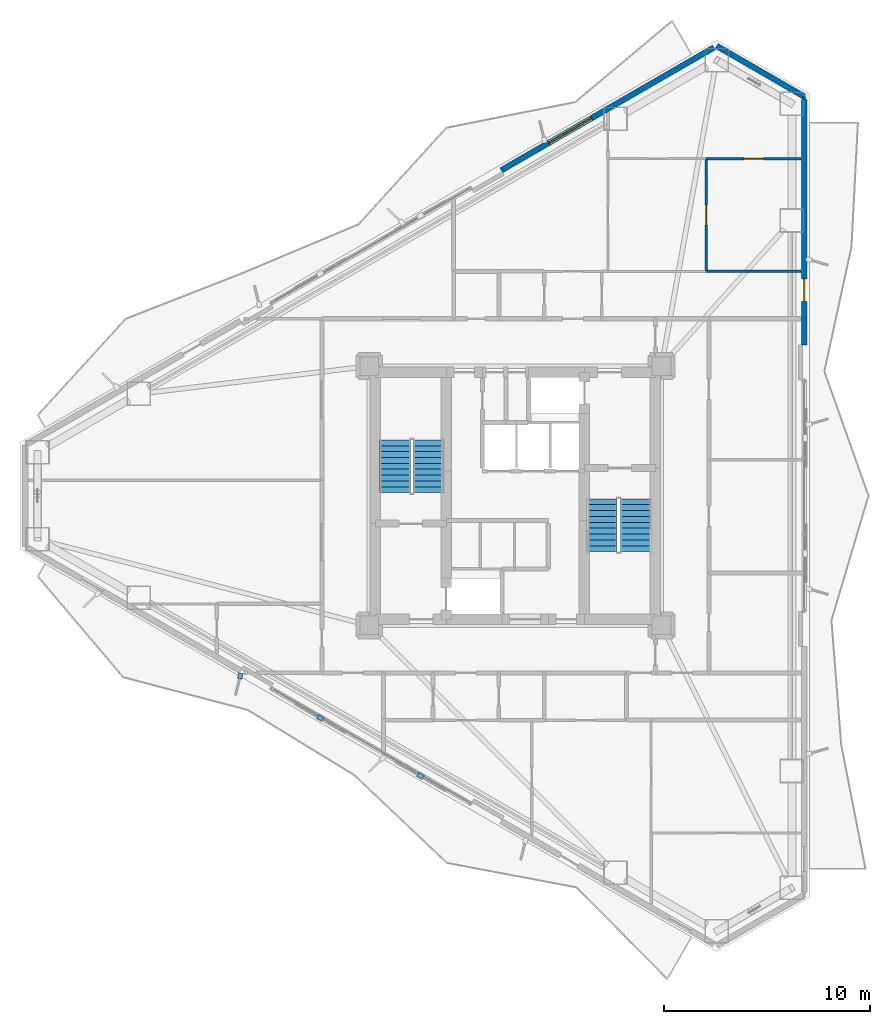
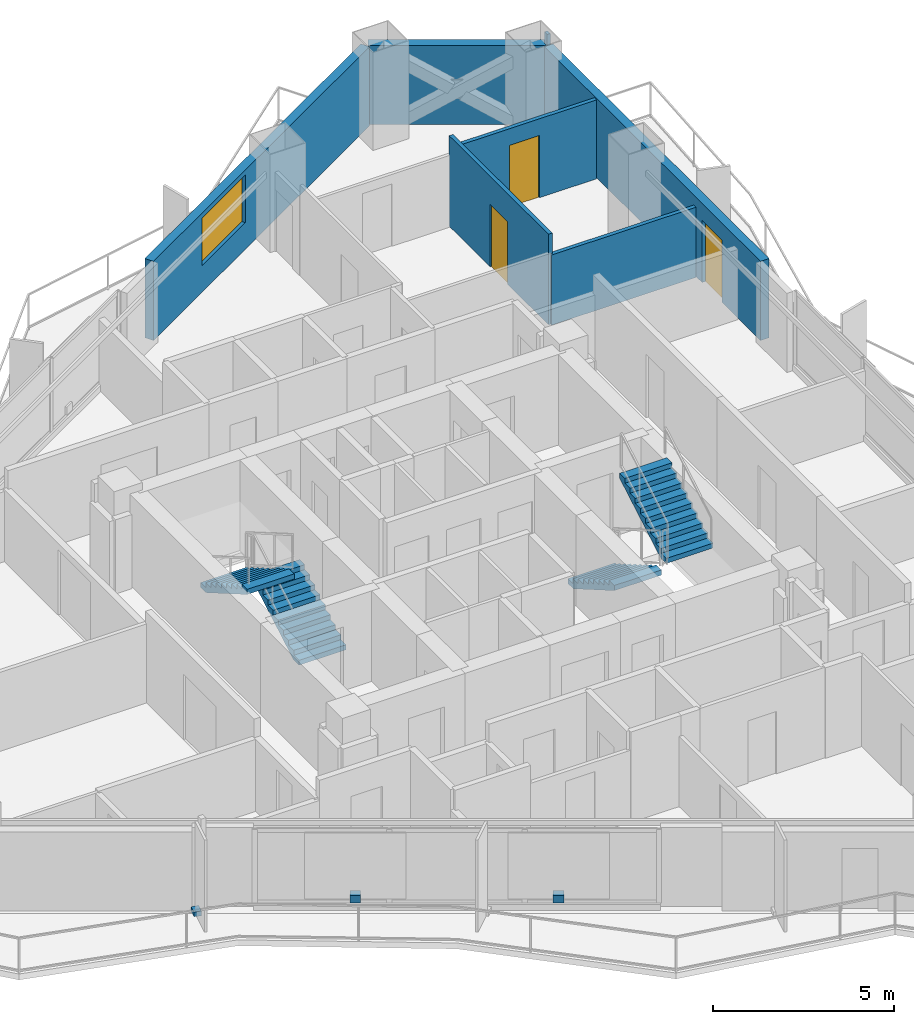
# One storey, part 19 of 22: 7 walls, 4 stair flights, 3 discrete accessories, 3 doors, 1 window, 4 openings, 2 elements without a shape of their own.
"""IFC4 building model written with IfcOpenShell, lengths in metres."""

import ifcopenshell
import ifcopenshell.guid

model = None  # the IFC model being written
_history = None  # IfcOwnerHistory: only IFC2X3 demands one
_inside = {}  # id of a spatial element -> (the spatial element, [elements in it])
_under = {}  # id of a project, library or spatial element -> (it, [spatial elements below it])
_declared = {}  # id of a project -> (the project, [libraries it declares])
_typed = {}  # id of a type object -> (the type object, [elements of that type])
_made_of = {}  # id of a material, layer set ... -> (it, [elements and type objects made of it])


def new_model(schema):
    """Start an empty IFC model of exactly this schema.

    Asked for "IFC4X3", IfcOpenShell would pick the latest addendum, in which some entities
    have other attributes; the version numbers below select the first issue.
    IFC2X3 requires an IfcOwnerHistory on every rooted entity: one is made here for all.
    """
    global model, _history
    if schema == "IFC4X3":
        model = ifcopenshell.file(schema_version=(4, 3, 0, 0))
    else:
        model = ifcopenshell.file(schema=schema)
    _inside.clear()
    _under.clear()
    _declared.clear()
    _typed.clear()
    _made_of.clear()
    _history = None
    if model.schema == "IFC2X3":
        org = make("IfcOrganization", Name="unknown")
        user = make(
            "IfcPersonAndOrganization",
            ThePerson=make("IfcPerson", FamilyName="unknown"),
            TheOrganization=org,
        )
        app = make(
            "IfcApplication",
            ApplicationDeveloper=org,
            Version="unknown",
            ApplicationFullName="unknown",
            ApplicationIdentifier="unknown",
        )
        _history = make(
            "IfcOwnerHistory",
            OwningUser=user,
            OwningApplication=app,
            ChangeAction="ADDED",
            CreationDate=0,
        )
    return model


def make(cls, **values):
    """One entity of the class cls with the attributes given. An attribute that is None is left unset."""
    return model.create_entity(
        cls, **{name: value for name, value in values.items() if value is not None}
    )


def rooted(cls, **values):
    """An entity with a GlobalId (a new one), such as an element, a storey or a relation."""
    return make(cls, GlobalId=ifcopenshell.guid.new(), OwnerHistory=_history, **values)


def si_unit(unit_type, name, prefix=None):
    """IfcSIUnit, for example si_unit("LENGTHUNIT", "METRE", prefix="MILLI")."""
    return make("IfcSIUnit", UnitType=unit_type, Prefix=prefix, Name=name)


def assignment(units):
    """IfcUnitAssignment: the units of a project."""
    return None if units is None else make("IfcUnitAssignment", Units=units)


def point(xyz):
    """IfcCartesianPoint."""
    return None if xyz is None else make("IfcCartesianPoint", Coordinates=xyz)


def direction(xyz):
    """IfcDirection."""
    return None if xyz is None else make("IfcDirection", DirectionRatios=xyz)


def frame(location, z_axis=None, x_axis=None):
    """IfcAxis2Placement3D, a coordinate frame: its origin and axes. An axis left out is left unset."""
    return make(
        "IfcAxis2Placement3D",
        Location=point(location),
        Axis=direction(z_axis),
        RefDirection=direction(x_axis),
    )


def frame_2d(location, x_axis=None):
    """IfcAxis2Placement2D, a coordinate frame in the plane: its origin and x axis."""
    return make(
        "IfcAxis2Placement2D", Location=point(location), RefDirection=direction(x_axis)
    )


def origin():
    """The frame at (0, 0, 0) with its axes left unset."""
    return frame((0.0, 0.0, 0.0))


def origin_2d():
    """The frame at (0, 0) in the plane with its x axis left unset."""
    return frame_2d((0.0, 0.0))


def place(relative_to, where):
    """IfcLocalPlacement: puts the frame where relative to a parent placement (None: the world)."""
    return make(
        "IfcLocalPlacement", PlacementRelTo=relative_to, RelativePlacement=where
    )


def context(
    kind, dimensions, precision=None, world=None, true_north=None, identifier=None
):
    """IfcGeometricRepresentationContext, for example the 3D "Model" context."""
    return make(
        "IfcGeometricRepresentationContext",
        ContextIdentifier=identifier,
        ContextType=kind,
        CoordinateSpaceDimension=dimensions,
        Precision=precision,
        WorldCoordinateSystem=world,
        TrueNorth=true_north,
    )


def subcontext(parent, identifier, kind, view, scale=None):
    """IfcGeometricRepresentationSubContext, for example "Body" below "Model"."""
    return make(
        "IfcGeometricRepresentationSubContext",
        ContextIdentifier=identifier,
        ContextType=kind,
        ParentContext=parent,
        TargetScale=scale,
        TargetView=view,
    )


def project(units=None, contexts=None):
    """IfcProject with its units and contexts."""
    return rooted(
        "IfcProject",
        Name="project",
        RepresentationContexts=contexts,
        UnitsInContext=assignment(units),
    )


def spatial(cls, under=None, at=None, **own):
    """A site, building, storey or space (cls), placed at a placement, below another one or the project."""
    s = rooted(cls, ObjectPlacement=at, **own)
    if under is not None:
        _under.setdefault(under.id(), (under, []))[1].append(s)
    return s


def polyline(points):
    """IfcPolyline through the points."""
    return make("IfcPolyline", Points=[point(p) for p in points])


def profile(cls, at=None, kind="AREA", **sizes):
    """A parametric profile (cls). Its sizes go by their IFC names, for example OverallWidth=200.0."""
    return make(cls, ProfileType=kind, Position=at, **sizes)


def rectangle(**sizes):
    """IfcRectangleProfileDef."""
    return profile("IfcRectangleProfileDef", **sizes)


def outline(outer, holes=None, kind="AREA"):
    """IfcArbitraryClosedProfileDef: a profile drawn as a closed curve; with holes, ...WithVoids."""
    if holes is None:
        return make("IfcArbitraryClosedProfileDef", ProfileType=kind, OuterCurve=outer)
    return make(
        "IfcArbitraryProfileDefWithVoids",
        ProfileType=kind,
        OuterCurve=outer,
        InnerCurves=holes,
    )


def extrude(swept, where, along, depth):
    """IfcExtrudedAreaSolid: the profile swept, set in the frame where, extruded along a direction by depth."""
    return make(
        "IfcExtrudedAreaSolid",
        SweptArea=swept,
        Position=where,
        ExtrudedDirection=direction(along),
        Depth=depth,
    )


def shape(context_of_items, identifier, shape_type, items):
    """IfcShapeRepresentation: the items that make up one representation, for example the "Body"."""
    return make(
        "IfcShapeRepresentation",
        ContextOfItems=context_of_items,
        RepresentationIdentifier=identifier,
        RepresentationType=shape_type,
        Items=items,
    )


def material(Name=None, Category=None):
    """IfcMaterial."""
    return make("IfcMaterial", Name=Name, Category=Category)


def layer(
    of_material, thickness, ventilated=None, Name=None, Category=None, Priority=None
):
    """IfcMaterialLayer: one layer of a wall or slab, of a material (None: an air gap)."""
    return make(
        "IfcMaterialLayer",
        Material=of_material,
        LayerThickness=thickness,
        IsVentilated=ventilated,
        Name=Name,
        Category=Category,
        Priority=Priority,
    )


def layer_set(layers, Name=None):
    """IfcMaterialLayerSet."""
    return make("IfcMaterialLayerSet", MaterialLayers=layers, LayerSetName=Name)


def made_of(thing, what):
    """Note that an element or type object is made of a material, layer set ...; save() writes the relation."""
    if what is not None:
        _made_of.setdefault(what.id(), (what, []))[1].append(thing)
    return thing


def type_object(cls, material=None, **own):
    """A type object (cls), such as IfcWallType, which elements share."""
    return made_of(rooted(cls, **own), material)


def element(
    cls,
    number,
    at=None,
    inside=None,
    cuts=None,
    type_object=None,
    material=None,
    context=None,
    identifier="Body",
    shape_type=None,
    held_by="IfcProductDefinitionShape",
    body=None,
    shapes=None,
    **own,
):
    """One element of the class cls, such as IfcWall. Its Tag is "e" and its number.

    at: its placement. inside: the storey or other place that contains it. cuts: it is an
    opening in that element (IfcRelVoidsElement). A single representation is given by context,
    identifier, shape_type and body (its items); several are given by shapes. held_by: the class
    of the entity that holds the representations. save() writes the other relations.
    """
    e = rooted(cls, Tag="e%d" % number, ObjectPlacement=at, **own)
    if body is not None:
        shapes = [shape(context, identifier, shape_type, body)]
    if shapes is not None:
        e.Representation = make(held_by, Representations=shapes)
    if inside is not None:
        _inside.setdefault(inside.id(), (inside, []))[1].append(e)
    if cuts is not None:
        rooted(
            "IfcRelVoidsElement", RelatingBuildingElement=cuts, RelatedOpeningElement=e
        )
    if type_object is not None:
        _typed.setdefault(type_object.id(), (type_object, []))[1].append(e)
    return made_of(e, material)


def fill(opening, filler):
    """IfcRelFillsElement: the door or window that sits in an opening."""
    return rooted(
        "IfcRelFillsElement",
        RelatingOpeningElement=opening,
        RelatedBuildingElement=filler,
    )


def aggregate(whole, parts):
    """IfcRelAggregates: a whole, such as a stair, and the parts it consists of."""
    return rooted("IfcRelAggregates", RelatingObject=whole, RelatedObjects=parts)


def save(model, path):
    """Write the relations noted so far, then the file.

    IfcRelAggregates (storeys below a building ...), IfcRelContainedInSpatialStructure (elements
    in a storey), IfcRelDefinesByType, IfcRelAssociatesMaterial and IfcRelDeclares: one each for
    every whole, place, type object, material and project.
    """
    for whole, parts in _under.values():
        aggregate(whole, parts)
    for where, things in _inside.values():
        rooted(
            "IfcRelContainedInSpatialStructure",
            RelatedElements=things,
            RelatingStructure=where,
        )
    for kind, things in _typed.values():
        rooted("IfcRelDefinesByType", RelatedObjects=things, RelatingType=kind)
    for what, things in _made_of.values():
        rooted("IfcRelAssociatesMaterial", RelatedObjects=things, RelatingMaterial=what)
    for by, libraries in _declared.values():
        rooted("IfcRelDeclares", RelatingContext=by, RelatedDefinitions=libraries)
    model.write(path)


model = new_model("IFC4")

# Units and contexts
model_context = context("Model", 3, precision=1e-05, world=origin(), true_north=direction((0.0, 1.0)))
body_context = subcontext(model_context, "Body", "Model", "MODEL_VIEW")
ifc_project = project(units=[si_unit("LENGTHUNIT", "METRE"), si_unit("AREAUNIT", "SQUARE_METRE"), si_unit("VOLUMEUNIT", "CUBIC_METRE"), si_unit("PLANEANGLEUNIT", "RADIAN"), si_unit("MASSUNIT", "GRAM", prefix="KILO")], contexts=[model_context])

# Site, building, storey
site_placement = place(None, origin())
site = spatial("IfcSite", under=ifc_project, at=site_placement, CompositionType="ELEMENT")
building_placement = place(site_placement, origin())
building = spatial("IfcBuilding", under=site, at=building_placement, Name="Mersakhor Tower and Convention Hall", CompositionType="ELEMENT")
storey_placement = place(building_placement, frame((0.0, 0.0, 83.39990234375)))
storey = spatial("IfcBuildingStorey", under=building, at=storey_placement, Name="L22", CompositionType="ELEMENT", Elevation=83.39990234375)

# Wall
ifc_material_1 = material(Name="Precast concrete C45/55", Category="concrete")
ifc_layer_1 = layer(ifc_material_1, 0.27490234375)
ifc_layer_set_1 = layer_set([ifc_layer_1], Name="Precast concrete C45/55")
wall_type_1 = type_object("IfcWallType", Name="WL-EXT-275", PredefinedType="SOLIDWALL", material=ifc_layer_set_1)
wall_1_placement = place(storey_placement, frame((38.77880859375, 48.6015625, 0.0), z_axis=(0.0, 0.0, 1.0), x_axis=(0.866011848704, -0.500023477353, 0.0)))
element("IfcWall", 1, at=wall_1_placement, inside=storey, type_object=wall_type_1, Name="L22 Chamfer Braced Spandrel Wall C1", PredefinedType="SOLIDWALL", context=body_context, shape_type="SweptSolid", body=[
    extrude(rectangle(XDim=4.914306640625, YDim=0.27490234375, at=frame_2d((2.45703125, 0.0))), origin(), (0.0, 0.0, 1.0), 2.670166015625),
])

# Wall, opening, window
wall_2_placement = place(storey_placement, frame((28.3173828125, 42.561767578125, 0.0), z_axis=(0.0, 0.0, 1.0), x_axis=(0.866023023012, 0.500004123596, 0.0)))
wall_2 = element("IfcWall", 2, at=wall_2_placement, inside=storey, type_object=wall_type_1, Name="L22 Exterior Facade Wall F1-B3", PredefinedType="SOLIDWALL", context=body_context, shape_type="SweptSolid", body=[
    extrude(rectangle(XDim=11.9296875, YDim=0.27490234375, at=frame_2d((5.96484375, 0.0))), origin(), (0.0, 0.0, 1.0), 2.670166015625),
])
opening_1_placement = place(wall_2_placement, frame((2.66796875, 0.0, 0.89990234375)))
opening_1 = element("IfcOpeningElement", 3, at=opening_1_placement, cuts=wall_2, Name="Opening W-05", PredefinedType="OPENING", context=body_context, shape_type="SweptSolid", body=[
    extrude(rectangle(XDim=2.39990234375, YDim=1.60009765625, at=frame_2d((1.199951171875, 0.800048828125))), frame((0.0, 0.1474609375, 0.0), z_axis=(0.0, -1.0, 0.0), x_axis=(1.0, 0.0, 0.0)), (0.0, 0.0, 1.0), 0.294921875),
])
ifc_material_2 = material(Name="Dark solar low-E glazed aluminium window", Category="aluminium")
window_type = type_object("IfcWindowType", Name="WN-RES-240x160", PartitioningType="SINGLE_PANEL", PredefinedType="WINDOW", material=ifc_material_2)
window_placement = place(opening_1_placement, origin())
window = element("IfcWindow", 4, at=window_placement, inside=storey, type_object=window_type, Name="L22 Facade Punched Window F1-B3", OverallHeight=1.60009765625, OverallWidth=2.39990234375, PartitioningType="SINGLE_PANEL", PredefinedType="WINDOW", context=body_context, shape_type="SweptSolid", body=[
    extrude(rectangle(XDim=2.39990234375, YDim=1.60009765625, at=frame_2d((1.199951171875, 0.800048828125))), frame((0.0, 0.030029296875, 0.0), z_axis=(0.0, -1.0, 0.0), x_axis=(1.0, 0.0, 0.0)), (0.0, 0.0, 1.0), 0.06005859375),
])
fill(opening_1, window)

# Wall, opening, door
wall_3_placement = place(storey_placement, frame((43.03466796875, 45.994384765625, 0.0), z_axis=(0.0, 0.0, 1.0), x_axis=(0.0, -1.0, 0.0)))
wall_3 = element("IfcWall", 5, at=wall_3_placement, inside=storey, type_object=wall_type_1, Name="L22 Exterior Facade Wall F2-B1", PredefinedType="SOLIDWALL", context=body_context, shape_type="SweptSolid", body=[
    extrude(rectangle(XDim=11.9296875, YDim=0.27490234375, at=frame_2d((5.96484375, 0.0))), origin(), (0.0, 0.0, 1.0), 2.670166015625),
])
opening_2_placement = place(wall_3_placement, frame((8.7041015625, 0.0, 0.0)))
opening_2 = element("IfcOpeningElement", 6, at=opening_2_placement, cuts=wall_3, Name="Opening BD-02", PredefinedType="OPENING", context=body_context, shape_type="SweptSolid", body=[
    extrude(rectangle(XDim=1.10009765625, YDim=2.10009765625, at=frame_2d((0.550048828125, 1.050048828125))), frame((0.0, 0.1474609375, 0.0), z_axis=(0.0, -1.0, 0.0), x_axis=(1.0, 0.0, 0.0)), (0.0, 0.0, 1.0), 0.294921875),
])
ifc_material_3 = material(Name="Thermally broken dark aluminium and safety glass", Category="aluminium")
door_type_1 = type_object("IfcDoorType", Name="DR-BAL-110x210", OperationType="NOTDEFINED", PredefinedType="DOOR", material=ifc_material_3)
door_1_placement = place(opening_2_placement, origin())
door_1 = element("IfcDoor", 7, at=door_1_placement, inside=storey, type_object=door_type_1, Name="L22 Balcony Terrace Door F2-B1", OperationType="SINGLE_SWING_RIGHT", OverallHeight=2.10009765625, OverallWidth=1.10009765625, PredefinedType="DOOR", context=body_context, shape_type="SweptSolid", body=[
    extrude(rectangle(XDim=1.10009765625, YDim=2.10009765625, at=frame_2d((0.550048828125, 1.050048828125))), frame((0.0, 0.02490234375, 0.0), z_axis=(0.0, -1.0, 0.0), x_axis=(1.0, 0.0, 0.0)), (0.0, 0.0, 1.0), 0.050048828125),
])
fill(opening_2, door_1)

# Walls
ifc_material_4 = material(Name="Lightweight gypsum partition", Category="other")
ifc_layer_2 = layer(ifc_material_4, 0.10009765625)
ifc_layer_set_2 = layer_set([ifc_layer_2], Name="Lightweight gypsum partition")
wall_type_2 = type_object("IfcWallType", Name="WL-PRT-100", PredefinedType="PARTITIONING", material=ifc_layer_set_2)
wall_4_placement = place(storey_placement, frame((43.034912109375, 46.14404296875, 0.0), z_axis=(0.0, 0.0, 1.0), x_axis=(0.0, -1.0, 0.0)))
element("IfcWall", 8, at=wall_4_placement, inside=storey, type_object=wall_type_2, Name="L22 Interior Partition Wall P-100", PredefinedType="PARTITIONING", context=body_context, shape_type="SweptSolid", body=[
    extrude(rectangle(XDim=0.149658203125, YDim=0.10009765625, at=frame_2d((0.07470703125, 0.0))), origin(), (0.0, 0.0, 1.0), 3.050048828125),
])
ifc_material_5 = material(Name="Gypsum board acoustic partition", Category="other")
ifc_layer_3 = layer(ifc_material_5, 0.125)
ifc_layer_set_3 = layer_set([ifc_layer_3], Name="Gypsum board acoustic partition")
wall_type_3 = type_object("IfcWallType", Name="WL-PRT-125", PredefinedType="PARTITIONING", material=ifc_layer_set_3)
wall_5_placement = place(storey_placement, frame((38.27001953125, 37.64990234375, 0.0), z_axis=(0.0, 0.0, 1.0), x_axis=(1.0, 0.0, 0.0)))
element("IfcWall", 9, at=wall_5_placement, inside=storey, type_object=wall_type_3, Name="L22 Interior Partition Wall P-075", PredefinedType="PARTITIONING", context=body_context, shape_type="SweptSolid", body=[
    extrude(rectangle(XDim=4.60302734375, YDim=0.125, at=frame_2d((2.301513671875, 0.0))), origin(), (0.0, 0.0, 1.0), 2.364990234375),
])

# Wall, opening, door
wall_6_placement = place(storey_placement, frame((38.27001953125, 43.1298828125, 0.0), z_axis=(0.0, 0.0, 1.0), x_axis=(0.0, -1.0, 0.0)))
wall_6 = element("IfcWall", 10, at=wall_6_placement, inside=storey, type_object=wall_type_3, Name="L22 Interior Partition Wall P-097", PredefinedType="PARTITIONING", context=body_context, shape_type="SweptSolid", body=[
    extrude(rectangle(XDim=5.47998046875, YDim=0.125, at=frame_2d((2.739990234375, 0.0))), origin(), (0.0, 0.0, 1.0), 3.050048828125),
])
opening_3_placement = place(wall_6_placement, frame((2.264892578125, 0.0, 0.0)))
opening_3 = element("IfcOpeningElement", 11, at=opening_3_placement, cuts=wall_6, Name="Opening RD-01", PredefinedType="OPENING", context=body_context, shape_type="SweptSolid", body=[
    extrude(rectangle(XDim=0.949951171875, YDim=2.10009765625, at=frame_2d((0.47509765625, 1.050048828125))), frame((0.0, 0.072509765625, 0.0), z_axis=(0.0, -1.0, 0.0), x_axis=(1.0, 0.0, 0.0)), (0.0, 0.0, 1.0), 0.14501953125),
])
ifc_material_6 = material(Name="Solid-core hardwood leaf in painted steel frame", Category="steel")
door_type_2 = type_object("IfcDoorType", Name="DR-INT-RM-095x210", OperationType="NOTDEFINED", PredefinedType="DOOR", material=ifc_material_6)
door_2_placement = place(opening_3_placement, origin())
door_2 = element("IfcDoor", 12, at=door_2_placement, inside=storey, type_object=door_type_2, Name="L22 L22 Flat N1 Bedroom 1 to L22 Flat N1 Study Room Door", OperationType="SINGLE_SWING_RIGHT", OverallHeight=2.10009765625, OverallWidth=0.949951171875, PredefinedType="DOOR", context=body_context, shape_type="SweptSolid", body=[
    extrude(rectangle(XDim=0.949951171875, YDim=2.10009765625, at=frame_2d((0.47509765625, 1.050048828125))), frame((0.0, 0.02490234375, 0.0), z_axis=(0.0, -1.0, 0.0), x_axis=(1.0, 0.0, 0.0)), (0.0, 0.0, 1.0), 0.050048828125),
])
fill(opening_3, door_2)

wall_7_placement = place(storey_placement, frame((38.27001953125, 43.1298828125, 0.0), z_axis=(0.0, 0.0, 1.0), x_axis=(1.0, 0.0, 0.0)))
wall_7 = element("IfcWall", 13, at=wall_7_placement, inside=storey, type_object=wall_type_3, Name="L22 Interior Partition Wall P-099", PredefinedType="PARTITIONING", context=body_context, shape_type="SweptSolid", body=[
    extrude(rectangle(XDim=4.60302734375, YDim=0.125, at=frame_2d((2.301513671875, 0.0))), origin(), (0.0, 0.0, 1.0), 2.660400390625),
])
opening_4_placement = place(wall_7_placement, frame((1.826416015625, 0.0, 0.0)))
opening_4 = element("IfcOpeningElement", 14, at=opening_4_placement, cuts=wall_7, Name="Opening RD-01", PredefinedType="OPENING", context=body_context, shape_type="SweptSolid", body=[
    extrude(rectangle(XDim=0.949951171875, YDim=2.10009765625, at=frame_2d((0.47509765625, 1.050048828125))), frame((0.0, 0.072509765625, 0.0), z_axis=(0.0, -1.0, 0.0), x_axis=(1.0, 0.0, 0.0)), (0.0, 0.0, 1.0), 0.14501953125),
])
door_3_placement = place(opening_4_placement, origin())
door_3 = element("IfcDoor", 15, at=door_3_placement, inside=storey, type_object=door_type_2, Name="L22 L22 Flat N1 Study Room to L22 Flat N1 Dining Room Door", OperationType="SINGLE_SWING_RIGHT", OverallHeight=2.10009765625, OverallWidth=0.949951171875, PredefinedType="DOOR", context=body_context, shape_type="SweptSolid", body=[
    extrude(rectangle(XDim=0.949951171875, YDim=2.10009765625, at=frame_2d((0.47509765625, 1.050048828125))), frame((0.0, 0.02490234375, 0.0), z_axis=(0.0, -1.0, 0.0), x_axis=(1.0, 0.0, 0.0)), (0.0, 0.0, 1.0), 0.050048828125),
])
fill(opening_4, door_3)

# Stair, stair flights
ifc_material_7 = material(Name="Concrete C45/55", Category="concrete")
stair_type = type_object("IfcStairType", Name="ST-TWR-20R", PredefinedType="HALF_TURN_STAIR", material=ifc_material_7)
stair_1_placement = place(storey_placement, origin())
stair_1 = element("IfcStair", 16, at=stair_1_placement, inside=storey, type_object=stair_type, Name="L22 Tower Protected Exit Stair ST-1", PredefinedType="HALF_TURN_STAIR")
ifc_material_8 = material(Name="Concrete C45/55", Category="concrete")
stair_flight_type = type_object("IfcStairFlightType", Name="SFL-TWR-20R", PredefinedType="STRAIGHT", material=ifc_material_8)
stair_flight_1_placement = place(storey_placement, frame((24.800048828125, 26.89990234375, 0.0), z_axis=(0.0, 0.0, 1.0), x_axis=(0.0, 1.0, 0.0)))
stair_flight_1 = element("IfcStairFlight", 17, at=stair_flight_1_placement, type_object=stair_flight_type, Name="ST-1 flight 1", NumberOfRisers=10, NumberOfTreads=9, PredefinedType="STRAIGHT", RiserHeight=0.165, TreadLength=0.285, context=body_context, shape_type="SweptSolid", body=[
    extrude(outline(polyline([(0.0, 0.0), (0.0, 0.1650390625), (0.284912109375, 0.1650390625), (0.284912109375, 0.330078125), (0.570068359375, 0.330078125), (0.570068359375, 0.4951171875), (0.85498046875, 0.4951171875), (0.85498046875, 0.659912109375), (1.139892578125, 0.659912109375), (1.139892578125, 0.824951171875), (1.425048828125, 0.824951171875), (1.425048828125, 0.989990234375), (1.7099609375, 0.989990234375), (1.7099609375, 1.155029296875), (1.9951171875, 1.155029296875), (1.9951171875, 1.320068359375), (2.280029296875, 1.320068359375), (2.280029296875, 1.485107421875), (2.56494140625, 1.485107421875), (2.56494140625, 1.64990234375), (2.56494140625, 1.311767578125), (0.299072265625, 0.0), (0.0, 0.0)])), frame((0.0, 0.75, 0.0), z_axis=(0.0, -1.0, 0.0), x_axis=(1.0, 0.0, 0.0)), (0.0, 0.0, 1.0), 1.5),
])
stair_flight_2_placement = place(storey_placement, frame((23.14990234375, 29.465087890625, 1.650146484375), z_axis=(0.0, 0.0, 1.0), x_axis=(0.0, -1.0, 0.0)))
stair_flight_2 = element("IfcStairFlight", 18, at=stair_flight_2_placement, type_object=stair_flight_type, Name="ST-1 flight 2", NumberOfRisers=10, NumberOfTreads=9, PredefinedType="STRAIGHT", RiserHeight=0.165, TreadLength=0.285, context=body_context, shape_type="SweptSolid", body=[
    extrude(outline(polyline([(0.0, 0.0), (0.0, 0.1650390625), (0.284912109375, 0.1650390625), (0.284912109375, 0.330078125), (0.570068359375, 0.330078125), (0.570068359375, 0.4951171875), (0.85498046875, 0.4951171875), (0.85498046875, 0.659912109375), (1.139892578125, 0.659912109375), (1.139892578125, 0.824951171875), (1.425048828125, 0.824951171875), (1.425048828125, 0.989990234375), (1.7099609375, 0.989990234375), (1.7099609375, 1.155029296875), (1.9951171875, 1.155029296875), (1.9951171875, 1.320068359375), (2.280029296875, 1.320068359375), (2.280029296875, 1.485107421875), (2.56494140625, 1.485107421875), (2.56494140625, 1.64990234375), (2.56494140625, 1.311767578125), (0.299072265625, 0.0), (0.0, 0.0)])), frame((0.0, 0.75, 0.0), z_axis=(0.0, -1.0, 0.0), x_axis=(1.0, 0.0, 0.0)), (0.0, 0.0, 1.0), 1.5),
])
aggregate(stair_1, [stair_flight_1, stair_flight_2])

stair_2_placement = place(storey_placement, origin())
stair_2 = element("IfcStair", 19, at=stair_2_placement, inside=storey, type_object=stair_type, Name="L22 Tower Protected Exit Stair ST-2", PredefinedType="HALF_TURN_STAIR")
stair_flight_3_placement = place(storey_placement, frame((33.199951171875, 26.60009765625, 0.0), z_axis=(0.0, 0.0, 1.0), x_axis=(0.0, -1.0, 0.0)))
stair_flight_3 = element("IfcStairFlight", 20, at=stair_flight_3_placement, type_object=stair_flight_type, Name="ST-2 flight 1", NumberOfRisers=10, NumberOfTreads=9, PredefinedType="STRAIGHT", RiserHeight=0.165, TreadLength=0.285, context=body_context, shape_type="SweptSolid", body=[
    extrude(outline(polyline([(0.0, 0.0), (0.0, 0.1650390625), (0.284912109375, 0.1650390625), (0.284912109375, 0.330078125), (0.570068359375, 0.330078125), (0.570068359375, 0.4951171875), (0.85498046875, 0.4951171875), (0.85498046875, 0.659912109375), (1.139892578125, 0.659912109375), (1.139892578125, 0.824951171875), (1.425048828125, 0.824951171875), (1.425048828125, 0.989990234375), (1.7099609375, 0.989990234375), (1.7099609375, 1.155029296875), (1.9951171875, 1.155029296875), (1.9951171875, 1.320068359375), (2.280029296875, 1.320068359375), (2.280029296875, 1.485107421875), (2.56494140625, 1.485107421875), (2.56494140625, 1.64990234375), (2.56494140625, 1.311767578125), (0.299072265625, 0.0), (0.0, 0.0)])), frame((0.0, 0.75, 0.0), z_axis=(0.0, -1.0, 0.0), x_axis=(1.0, 0.0, 0.0)), (0.0, 0.0, 1.0), 1.5),
])
stair_flight_4_placement = place(storey_placement, frame((34.85009765625, 24.034912109375, 1.650146484375), z_axis=(0.0, 0.0, 1.0), x_axis=(0.0, 1.0, 0.0)))
stair_flight_4 = element("IfcStairFlight", 21, at=stair_flight_4_placement, type_object=stair_flight_type, Name="ST-2 flight 2", NumberOfRisers=10, NumberOfTreads=9, PredefinedType="STRAIGHT", RiserHeight=0.165, TreadLength=0.285, context=body_context, shape_type="SweptSolid", body=[
    extrude(outline(polyline([(0.0, 0.0), (0.0, 0.1650390625), (0.284912109375, 0.1650390625), (0.284912109375, 0.330078125), (0.570068359375, 0.330078125), (0.570068359375, 0.4951171875), (0.85498046875, 0.4951171875), (0.85498046875, 0.659912109375), (1.139892578125, 0.659912109375), (1.139892578125, 0.824951171875), (1.425048828125, 0.824951171875), (1.425048828125, 0.989990234375), (1.7099609375, 0.989990234375), (1.7099609375, 1.155029296875), (1.9951171875, 1.155029296875), (1.9951171875, 1.320068359375), (2.280029296875, 1.320068359375), (2.280029296875, 1.485107421875), (2.56494140625, 1.485107421875), (2.56494140625, 1.64990234375), (2.56494140625, 1.311767578125), (0.299072265625, 0.0), (0.0, 0.0)])), frame((0.0, 0.75, 0.0), z_axis=(0.0, -1.0, 0.0), x_axis=(1.0, 0.0, 0.0)), (0.0, 0.0, 1.0), 1.5),
])
aggregate(stair_2, [stair_flight_3, stair_flight_4])

# Discrete accessories
ifc_material_9 = material(Name="Galvanised steel bracket", Category="steel")
ifc_layer_4 = layer(ifc_material_9, 0.02001953125)
ifc_layer_set_4 = layer_set([ifc_layer_4], Name="Galvanised steel bracket")
discrete_accessory_type = type_object("IfcDiscreteAccessoryType", Name="ACC-BRK-STL", PredefinedType="BRACKET", material=ifc_layer_set_4)
for number, where, z_axis, x_axis, name in (
    (22, (24.388916015625, 13.148681640625, 0.2900390625), (0.0, 0.0, 1.0), (-0.866025403784, 0.5, 0.0), "L22 Solar Screen Outrigger Bracket BRK-3-1"),
    (23, (19.526611328125, 15.9560546875, 0.2900390625), (0.0, 0.0, 1.0), (-0.866025403784, 0.5, 0.0), "L22 Solar Screen Outrigger Bracket BRK-3-2"),
):
    element("IfcDiscreteAccessory", number, at=place(storey_placement, frame(where, z_axis=z_axis, x_axis=x_axis)), inside=storey, type_object=discrete_accessory_type, Name=name, PredefinedType="BRACKET", context=body_context, shape_type="SweptSolid", body=[
        extrude(rectangle(XDim=0.300048828125, YDim=0.239990234375, at=origin_2d()), origin(), (0.0, 0.0, 1.0), 0.260009765625),
    ])
discrete_accessory_placement = place(storey_placement, frame((15.636962890625, 17.993896484375, -0.02001953125), z_axis=(0.0, 0.0, 1.0), x_axis=(-0.2419218956, -0.970295726276, 0.0)))
element("IfcDiscreteAccessory", 24, at=discrete_accessory_placement, inside=storey, type_object=discrete_accessory_type, Name="L22 Facade Fin Base Cleat Bracket FBRK-3-3", PredefinedType="BRACKET", context=body_context, shape_type="SweptSolid", body=[
    extrude(rectangle(XDim=0.280029296875, YDim=0.219970703125, at=origin_2d()), origin(), (0.0, 0.0, 1.0), 0.159912109375),
])

save(model, "model.ifc")
